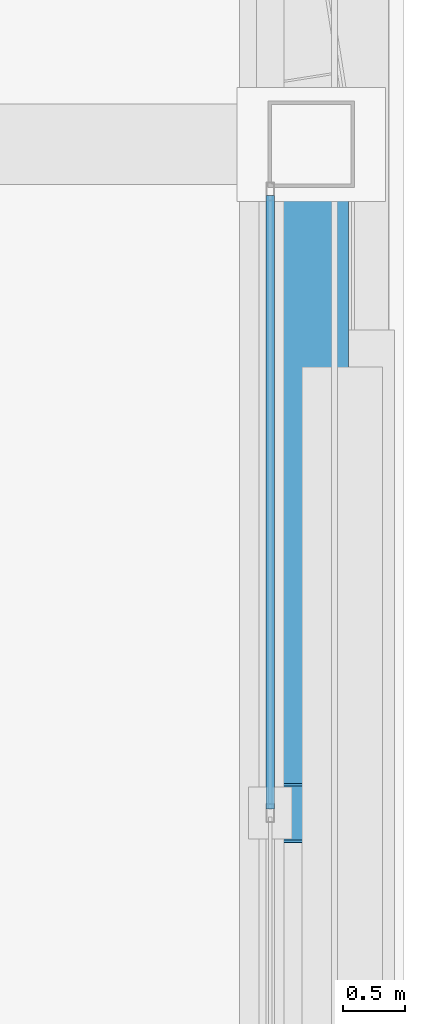
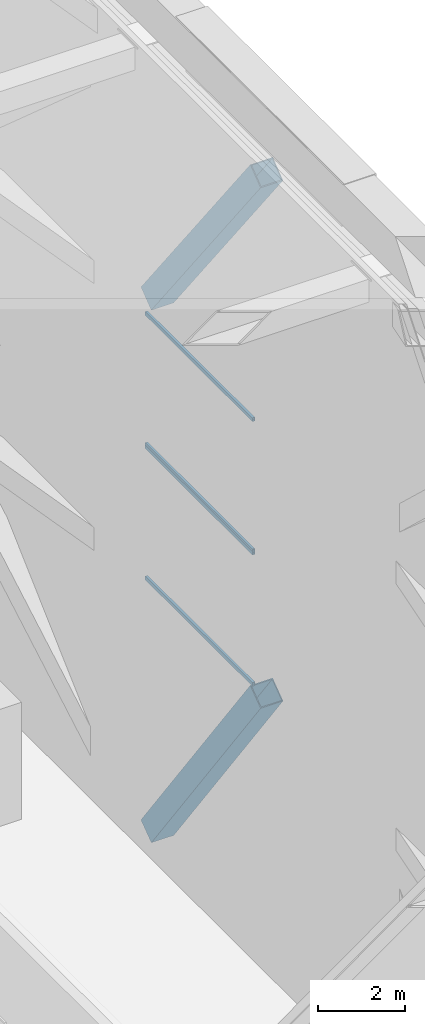
# One storey, part 20 of 28: 6 members, 2 elements without a shape of their own.
"""IFC4 building model written with IfcOpenShell, lengths in metres."""

from ifc_helpers import new_model, si_unit, direction, frame, origin, origin_2d, place, context, subcontext, project, spatial, hollow_rectangle, extrude, material, material_profile, profile_set, type_object, element, aggregate, save


model = new_model("IFC4")

# Units and contexts
model_context = context("Model", 3, precision=1e-05, world=origin(), true_north=direction((0.0, 1.0)))
body_context = subcontext(model_context, "Body", "Model", "MODEL_VIEW")
ifc_project = project(units=[si_unit("LENGTHUNIT", "METRE"), si_unit("AREAUNIT", "SQUARE_METRE"), si_unit("VOLUMEUNIT", "CUBIC_METRE"), si_unit("PLANEANGLEUNIT", "RADIAN"), si_unit("MASSUNIT", "GRAM", prefix="KILO")], contexts=[model_context])

# Site, building, storey
site_placement = place(None, origin())
site = spatial("IfcSite", under=ifc_project, at=site_placement, CompositionType="ELEMENT")
building_placement = place(site_placement, origin())
building = spatial("IfcBuilding", under=site, at=building_placement, Name="Tashvorn Skyway Center", CompositionType="ELEMENT")
storey_placement = place(building_placement, frame((0.0, 0.0, 277.60009765625)))
storey = spatial("IfcBuildingStorey", under=building, at=storey_placement, Name="Roof Level", CompositionType="ELEMENT", Elevation=277.60009765625)

# Curtain wall, members
ifc_material_1 = material(Name="Thermally broken bronze-anodized aluminium 6063-T6", Category="aluminium")
curtain_wall_type = type_object("IfcCurtainWallType", Name="CW-CW-SKY", PredefinedType="NOTDEFINED", material=ifc_material_1)
curtain_wall_1_placement = place(storey_placement, origin())
curtain_wall_1 = element("IfcCurtainWall", 1, at=curtain_wall_1_placement, inside=storey, type_object=curtain_wall_type, Name="CROWN Lantern Fritted Curtain Wall T1 E-3", PredefinedType="NOTDEFINED")
ifc_material_profile_1 = material_profile(ifc_material_1, hollow_rectangle(XDim=0.06494140625, YDim=0.10498046875, WallThickness=0.00390625, at=origin_2d()), Name="ALU-TRAN-65x105")
ifc_profile_set_1 = profile_set([ifc_material_profile_1], Name="Thermally broken bronze-anodized aluminium 6063-T6")
member_type_1 = type_object("IfcMemberType", Name="CWT-CW-SKY", PredefinedType="USERDEFINED", material=ifc_profile_set_1)
member_1_placement = place(storey_placement, frame((56.219970703125, 36.985107421875, 7.5625), z_axis=(0.0, -1.0, 0.0), x_axis=(1.0, 0.0, 0.0)))
member_1 = element("IfcMember", 2, at=member_1_placement, type_object=member_type_1, Name="CW-SKY transom 1.1", ObjectType="TRANSOM", PredefinedType="USERDEFINED", context=body_context, shape_type="SweptSolid", body=[
    extrude(hollow_rectangle(XDim=0.06494140625, YDim=0.10498046875, WallThickness=0.00390625, at=origin_2d()), origin(), (0.0, 0.0, 1.0), 4.95263671875),
])
member_2_placement = place(storey_placement, frame((56.219970703125, 36.985107421875, 11.262451171875), z_axis=(0.0, -1.0, 0.0), x_axis=(1.0, 0.0, 0.0)))
member_2 = element("IfcMember", 3, at=member_2_placement, type_object=member_type_1, Name="CW-SKY transom 1.2", ObjectType="TRANSOM", PredefinedType="USERDEFINED", context=body_context, shape_type="SweptSolid", body=[
    extrude(hollow_rectangle(XDim=0.06494140625, YDim=0.10498046875, WallThickness=0.00390625, at=origin_2d()), origin(), (0.0, 0.0, 1.0), 4.95263671875),
])
aggregate(curtain_wall_1, [member_1, member_2])

curtain_wall_2_placement = place(storey_placement, origin())
curtain_wall_2 = element("IfcCurtainWall", 4, at=curtain_wall_2_placement, inside=storey, type_object=curtain_wall_type, Name="CROWN Lantern Fritted Curtain Wall T1 E-4", PredefinedType="NOTDEFINED")
member_3_placement = place(storey_placement, frame((56.219970703125, 36.985107421875, 11.327392578125), z_axis=(0.0, -1.0, 0.0), x_axis=(1.0, 0.0, 0.0)))
member_3 = element("IfcMember", 5, at=member_3_placement, type_object=member_type_1, Name="CW-SKY transom 1.1", ObjectType="TRANSOM", PredefinedType="USERDEFINED", context=body_context, shape_type="SweptSolid", body=[
    extrude(hollow_rectangle(XDim=0.06494140625, YDim=0.10498046875, WallThickness=0.00390625, at=origin_2d()), origin(), (0.0, 0.0, 1.0), 4.95263671875),
])
member_4_placement = place(storey_placement, frame((56.219970703125, 36.985107421875, 15.02734375), z_axis=(0.0, -1.0, 0.0), x_axis=(1.0, 0.0, 0.0)))
member_4 = element("IfcMember", 6, at=member_4_placement, type_object=member_type_1, Name="CW-SKY transom 1.2", ObjectType="TRANSOM", PredefinedType="USERDEFINED", context=body_context, shape_type="SweptSolid", body=[
    extrude(hollow_rectangle(XDim=0.06494140625, YDim=0.10498046875, WallThickness=0.00390625, at=origin_2d()), origin(), (0.0, 0.0, 1.0), 4.95263671875),
])
aggregate(curtain_wall_2, [member_3, member_4])

# Members
ifc_material_2 = material(Name="Steel ASTM A572 Grade 50", Category="steel")
ifc_material_profile_2 = material_profile(ifc_material_2, hollow_rectangle(XDim=0.60009765625, YDim=0.60009765625, WallThickness=0.02490234375, at=origin_2d()), Name="BOX600x600x25")
ifc_profile_set_2 = profile_set([ifc_material_profile_2], Name="Steel ASTM A572 Grade 50")
member_type_2 = type_object("IfcMemberType", Name="MEM-CF-BRC-600", PredefinedType="BRACE", material=ifc_profile_set_2)
member_5_placement = place(storey_placement, frame((56.550048828125, 37.054931640625, 0.349853515625), z_axis=(0.0, -0.593207833758, 0.805049356231), x_axis=(1.0, 0.0, 0.0)))
element("IfcMember", 7, at=member_5_placement, inside=storey, type_object=member_type_2, Name="CROWN FRAME Tower 1 Tier-1 Chevron Brace 05B", PredefinedType="BRACE", context=body_context, shape_type="SweptSolid", body=[
    extrude(hollow_rectangle(XDim=0.60009765625, YDim=0.60009765625, WallThickness=0.02490234375, at=origin_2d()), origin(), (0.0, 0.0, 1.0), 8.521240234375),
])
member_6_placement = place(storey_placement, frame((56.550048828125, 37.054931640625, 15.3798828125), z_axis=(0.0, -0.612716787586, 0.790302561182), x_axis=(1.0, 0.0, 0.0)))
element("IfcMember", 8, at=member_6_placement, inside=storey, type_object=member_type_2, Name="CROWN FRAME Tower 1 Tier-3 Chevron Brace 05B", PredefinedType="BRACE", context=body_context, shape_type="SweptSolid", body=[
    extrude(hollow_rectangle(XDim=0.60009765625, YDim=0.60009765625, WallThickness=0.02490234375, at=origin_2d()), origin(), (0.0, 0.0, 1.0), 8.25),
])

save(model, "model.ifc")
